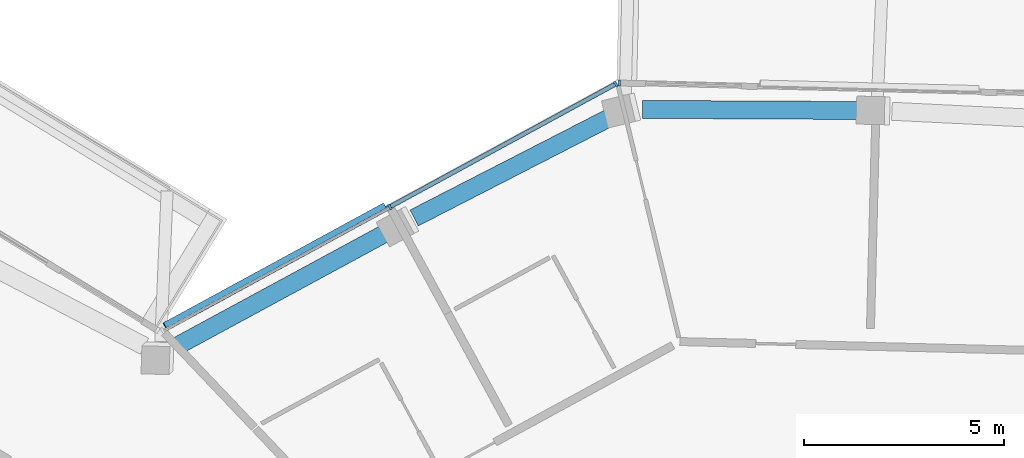
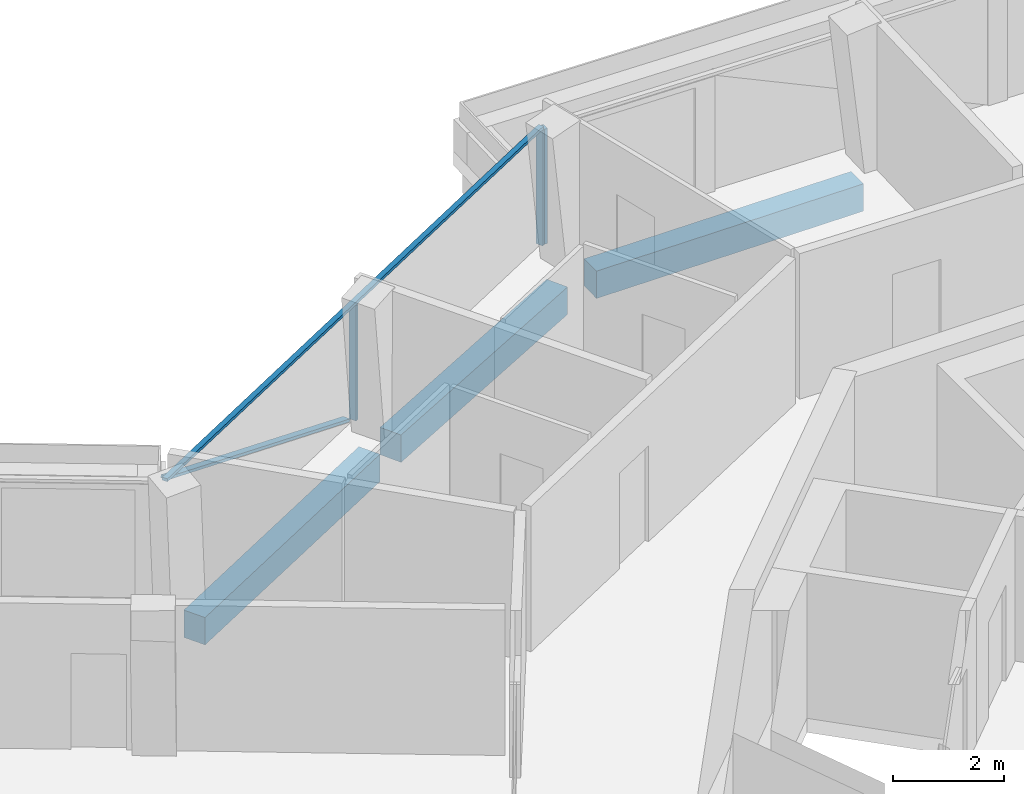
# One storey, part 6 of 24: 5 members, 3 beams, 2 elements without a shape of their own.
"""IFC4 building model written with IfcOpenShell, lengths in metres."""

from ifc_helpers import new_model, si_unit, direction, frame, origin, origin_2d, place, context, subcontext, project, spatial, rectangle, extrude, material, layer, layer_set, material_profile, profile_set, type_object, element, aggregate, save


model = new_model("IFC4")

# Units and contexts
model_context = context("Model", 3, precision=1e-05, world=origin(), true_north=direction((0.0, 1.0)))
body_context = subcontext(model_context, "Body", "Model", "MODEL_VIEW")
ifc_project = project(units=[si_unit("LENGTHUNIT", "METRE"), si_unit("AREAUNIT", "SQUARE_METRE"), si_unit("VOLUMEUNIT", "CUBIC_METRE"), si_unit("PLANEANGLEUNIT", "RADIAN"), si_unit("MASSUNIT", "GRAM", prefix="KILO")], contexts=[model_context])

# Site, building, storey
site_placement = place(None, origin())
site = spatial("IfcSite", under=ifc_project, at=site_placement, CompositionType="ELEMENT")
building_placement = place(site_placement, origin())
building = spatial("IfcBuilding", under=site, at=building_placement, Name="Verdalira Terraces Hotel", CompositionType="ELEMENT")
storey_placement = place(building_placement, frame((0.0, 0.0, 274.0)))
storey = spatial("IfcBuildingStorey", under=building, at=storey_placement, Name="L67", CompositionType="ELEMENT", Elevation=274.0)

# Curtain wall, member
ifc_material_1 = material(Name="Clear glass", Category="glass")
ifc_layer = layer(ifc_material_1, 0.14990234375)
ifc_layer_set = layer_set([ifc_layer], Name="CW1 curtain wall")
curtain_wall_type = type_object("IfcCurtainWallType", Name="CW1 curtain wall", PredefinedType="NOTDEFINED", material=ifc_layer_set)
curtain_wall_1_placement = place(storey_placement, origin())
curtain_wall_1 = element("IfcCurtainWall", 1, at=curtain_wall_1_placement, inside=storey, type_object=curtain_wall_type, Name="CW1 curtain wall L67 edge 40", PredefinedType="NOTDEFINED")
ifc_material_2 = material(Name="Terracotta frame", Category="masonry")
ifc_material_profile_1 = material_profile(ifc_material_2, rectangle(XDim=0.060059, YDim=0.149902, at=origin_2d()), Name="MU 60x150")
ifc_profile_set_1 = profile_set([ifc_material_profile_1], Name="Terracotta frame")
member_type_1 = type_object("IfcMemberType", Name="CW1 mullion 60x150", PredefinedType="MULLION", material=ifc_profile_set_1)
member_1_placement = place(storey_placement, frame((-5.820068, 24.337158, 0.0), z_axis=(0.0, 0.0, 1.0), x_axis=(-0.999684189, 0.025130095, 0.0)))
member_1 = element("IfcMember", 2, at=member_1_placement, type_object=member_type_1, Name="CW1 mullion", PredefinedType="MULLION", context=body_context, shape_type="SweptSolid", body=[
    extrude(rectangle(XDim=0.060059, YDim=0.149902, at=origin_2d()), origin(), (0.0, 0.0, 1.0), 2.524902),
])
aggregate(curtain_wall_1, [member_1])

# Curtain wall, members
curtain_wall_2_placement = place(storey_placement, origin())
curtain_wall_2 = element("IfcCurtainWall", 3, at=curtain_wall_2_placement, inside=storey, type_object=curtain_wall_type, Name="CW1 curtain wall L67 edge 41", PredefinedType="NOTDEFINED")
member_2_placement = place(storey_placement, frame((-5.914062, 24.314697, 0.0), z_axis=(0.0, 0.0, 1.0), x_axis=(-0.878316951, -0.478078794, 0.0)))
member_2 = element("IfcMember", 4, at=member_2_placement, type_object=member_type_1, Name="CW1 mullion", PredefinedType="MULLION", context=body_context, shape_type="SweptSolid", body=[
    extrude(rectangle(XDim=0.060059, YDim=0.149902, at=origin_2d()), origin(), (0.0, 0.0, 1.0), 2.524902),
])
member_3_placement = place(storey_placement, frame((-11.561523, 21.240723, 0.0), z_axis=(0.0, 0.0, 1.0), x_axis=(-0.878316951, -0.478078794, 0.0)))
member_3 = element("IfcMember", 5, at=member_3_placement, type_object=member_type_1, Name="CW1 mullion", PredefinedType="MULLION", context=body_context, shape_type="SweptSolid", body=[
    extrude(rectangle(XDim=0.060059, YDim=0.149902, at=origin_2d()), origin(), (0.0, 0.0, 1.0), 2.524902),
])
ifc_material_3 = material(Name="Terracotta frame", Category="masonry")
ifc_material_profile_2 = material_profile(ifc_material_3, rectangle(XDim=0.110107, YDim=0.064941, at=origin_2d()), Name="TR 65x110")
ifc_profile_set_2 = profile_set([ifc_material_profile_2], Name="Terracotta frame")
member_type_2 = type_object("IfcMemberType", Name="CW1 transom 65x110", PredefinedType="USERDEFINED", material=ifc_profile_set_2)
member_4_placement = place(storey_placement, frame((-5.887695, 24.328857, 2.557617), z_axis=(-0.878317114, -0.478078494, 0.0), x_axis=(0.478078494, -0.878317114, 0.0)))
member_4 = element("IfcMember", 6, at=member_4_placement, type_object=member_type_2, Name="CW1 transom", ObjectType="TRANSOM", PredefinedType="USERDEFINED", context=body_context, shape_type="SweptSolid", body=[
    extrude(rectangle(XDim=0.110107, YDim=0.064941, at=origin_2d()), origin(), (0.0, 0.0, 1.0), 12.959717),
])
ifc_material_4 = material(Name="Terracotta frame", Category="masonry")
ifc_material_profile_3 = material_profile(ifc_material_4, rectangle(XDim=0.149902, YDim=0.060059, at=origin_2d()), Name="GB 60x150")
ifc_profile_set_3 = profile_set([ifc_material_profile_3], Name="Terracotta frame")
member_type_3 = type_object("IfcMemberType", Name="Diagonal glazing bar 60x150", PredefinedType="USERDEFINED", material=ifc_profile_set_3)
member_5_placement = place(storey_placement, frame((-11.694336, 21.269775, 0.028564), z_axis=(-0.817184779, -0.444833956, 0.366513012), x_axis=(0.478103801, -0.878303339, 0.0)))
member_5 = element("IfcMember", 7, at=member_5_placement, type_object=member_type_3, Name="Diagonal glazing bar", ObjectType="GLAZING BAR", PredefinedType="USERDEFINED", context=body_context, shape_type="SweptSolid", body=[
    extrude(rectangle(XDim=0.149902, YDim=0.060059, at=origin_2d()), origin(), (0.0, 0.0, 1.0), 6.733154),
])
aggregate(curtain_wall_2, [member_2, member_3, member_4, member_5])

# Beams
ifc_material_5 = material(Name="Concrete C40", Category="concrete")
ifc_material_profile_4 = material_profile(ifc_material_5, rectangle(XDim=0.449951, YDim=0.600098, at=origin_2d()), Name="RC 450X600")
ifc_profile_set_4 = profile_set([ifc_material_profile_4], Name="Concrete C40")
beam_type = type_object("IfcBeamType", Name="Spandrel beam RC 450X600 C40", PredefinedType="SPANDREL", material=ifc_profile_set_4)
beam_1_placement = place(storey_placement, frame((0.280273, 23.650879, -0.610107), z_axis=(-0.999987517, 0.004996621, 0.0), x_axis=(-0.004996621, -0.999987517, 0.0)))
element("IfcBeam", 8, at=beam_1_placement, inside=storey, type_object=beam_type, Name="Spandrel beam B27", PredefinedType="SPANDREL", context=body_context, shape_type="SweptSolid", body=[
    extrude(rectangle(XDim=0.449951, YDim=0.600098, at=origin_2d()), origin(), (0.0, 0.0, 1.0), 5.52124),
])
beam_2_placement = place(storey_placement, frame((-6.039795, 23.485596, -0.610107), z_axis=(-0.889666022, -0.456611837, 0.0), x_axis=(0.456611837, -0.889666022, 0.0)))
element("IfcBeam", 9, at=beam_2_placement, inside=storey, type_object=beam_type, Name="Spandrel beam B28", PredefinedType="SPANDREL", context=body_context, shape_type="SweptSolid", body=[
    extrude(rectangle(XDim=0.449951, YDim=0.600098, at=origin_2d()), origin(), (0.0, 0.0, 1.0), 5.523682),
])
beam_3_placement = place(storey_placement, frame((-11.580078, 20.633057, -0.610107), z_axis=(-0.879293384, -0.476280532, 0.0), x_axis=(0.476280532, -0.879293384, 0.0)))
element("IfcBeam", 10, at=beam_3_placement, inside=storey, type_object=beam_type, Name="Spandrel beam B29", PredefinedType="SPANDREL", context=body_context, shape_type="SweptSolid", body=[
    extrude(rectangle(XDim=0.449951, YDim=0.600098, at=origin_2d()), origin(), (0.0, 0.0, 1.0), 6.01123),
])

save(model, "model.ifc")
